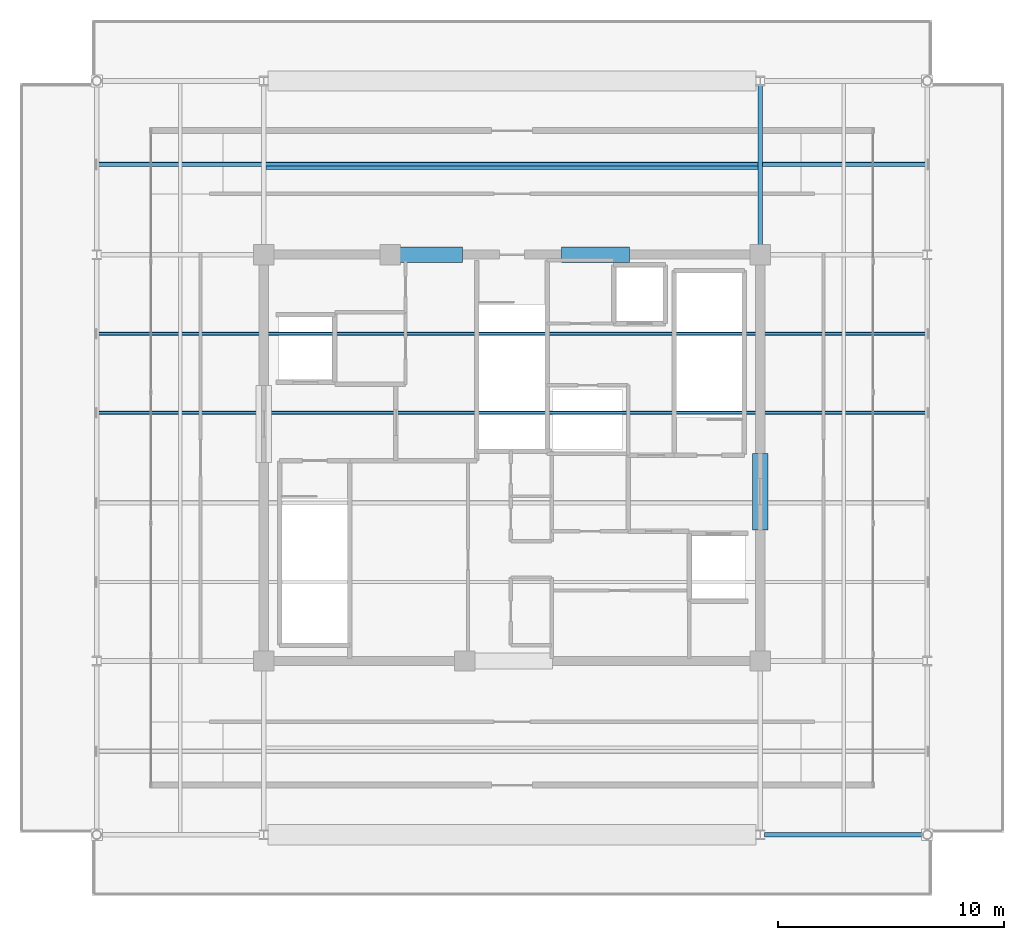
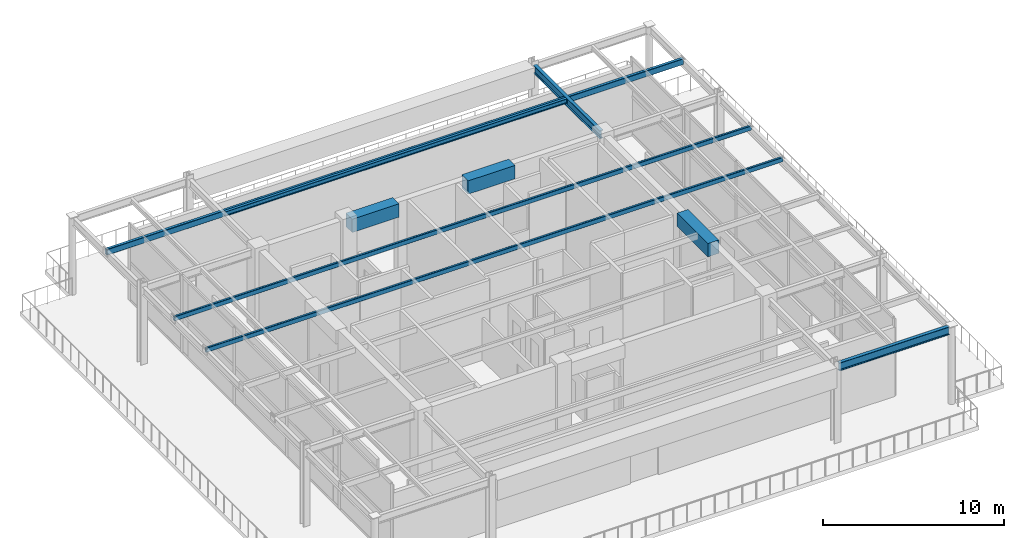
# One storey, part 5 of 16: 6 beams, 3 members.
"""IFC4 building model written with IfcOpenShell, lengths in metres."""

from ifc_helpers import new_model, si_unit, direction, frame, origin, origin_2d, place, context, subcontext, project, spatial, rectangle, hollow_rectangle, i_section, extrude, material, material_profile, profile_set, type_object, element, save


model = new_model("IFC4")

# Units and contexts
model_context = context("Model", 3, precision=1e-05, world=origin(), true_north=direction((0.0, 1.0)))
body_context = subcontext(model_context, "Body", "Model", "MODEL_VIEW")
ifc_project = project(units=[si_unit("LENGTHUNIT", "METRE"), si_unit("AREAUNIT", "SQUARE_METRE"), si_unit("VOLUMEUNIT", "CUBIC_METRE"), si_unit("PLANEANGLEUNIT", "RADIAN"), si_unit("MASSUNIT", "GRAM", prefix="KILO")], contexts=[model_context])

# Site, building, storey
site_placement = place(None, origin())
site = spatial("IfcSite", under=ifc_project, at=site_placement, CompositionType="ELEMENT")
building_placement = place(site_placement, origin())
building = spatial("IfcBuilding", under=site, at=building_placement, Name="Kovane Verandah Tower", CompositionType="ELEMENT")
storey_placement = place(building_placement, frame((0.0, 0.0, 354.300048828125)))
storey = spatial("IfcBuildingStorey", under=building, at=storey_placement, Name="L82", CompositionType="ELEMENT", Elevation=354.300048828125)

# Beams
ifc_material_1 = material(Name="Concrete C60/75", Category="concrete")
ifc_material_profile_1 = material_profile(ifc_material_1, rectangle(XDim=0.699951171875, YDim=0.89990234375, at=origin_2d()), Name="RCB700x900")
ifc_profile_set_1 = profile_set([ifc_material_profile_1], Name="Concrete C60/75")
beam_type_1 = type_object("IfcBeamType", Name="BM-LINTEL-700x900", PredefinedType="LINTEL", material=ifc_profile_set_1)
for number, where, z_axis, x_axis, name in (
    (1, (34.800048828125, 36.5, 4.7900390625), (1.0, 0.0, 0.0), (0.0, 1.0, 0.0), "L82 Core Coupling Lintel CL-N1"),
    (2, (42.199951171875, 36.5, 4.7900390625), (1.0, 0.0, 0.0), (0.0, 1.0, 0.0), "L82 Core Coupling Lintel CL-N2"),
):
    element("IfcBeam", number, at=place(storey_placement, frame(where, z_axis=z_axis, x_axis=x_axis)), inside=storey, type_object=beam_type_1, Name=name, PredefinedType="LINTEL", context=body_context, shape_type="SweptSolid", body=[
        extrude(rectangle(XDim=0.699951171875, YDim=0.89990234375, at=origin_2d()), origin(), (0.0, 0.0, 1.0), 3.0),
    ])
beam_1_placement = place(storey_placement, frame((51.0, 24.300048828125, 4.7900390625), z_axis=(0.0, 1.0, 0.0), x_axis=(-1.0, 0.0, 0.0)))
element("IfcBeam", 3, at=beam_1_placement, inside=storey, type_object=beam_type_1, Name="L82 Core Coupling Lintel CL-E", PredefinedType="LINTEL", context=body_context, shape_type="SweptSolid", body=[
    extrude(rectangle(XDim=0.699951171875, YDim=0.89990234375, at=origin_2d()), origin(), (0.0, 0.0, 1.0), 3.39990234375),
])
ifc_material_2 = material(Name="Steel S355", Category="steel")
ifc_material_profile_2 = material_profile(ifc_material_2, i_section(OverallWidth=0.2119140625, OverallDepth=0.54443359375, WebThickness=0.0126953125, FlangeThickness=0.021240234375, FilletRadius=0.0126953125, at=origin_2d()), Name="UB533x210x122")
ifc_profile_set_2 = profile_set([ifc_material_profile_2], Name="Steel S355")
beam_type_2 = type_object("IfcBeamType", Name="BM-UB533x122", PredefinedType="BEAM", material=ifc_profile_set_2)
beam_2_placement = place(storey_placement, frame((51.179931640625, 10.800048828125, 4.9677734375), z_axis=(1.0, 0.0, 0.0), x_axis=(0.0, 1.0, 0.0)))
element("IfcBeam", 4, at=beam_2_placement, inside=storey, type_object=beam_type_2, Name="L82 Primary Tower Girder G-RS3", PredefinedType="BEAM", context=body_context, shape_type="SweptSolid", body=[
    extrude(i_section(OverallWidth=0.2119140625, OverallDepth=0.54443359375, WebThickness=0.0126953125, FlangeThickness=0.021240234375, FilletRadius=0.0126953125, at=origin_2d()), origin(), (0.0, 0.0, 1.0), 7.0400390625),
])
beam_3_placement = place(storey_placement, frame((51.0, 36.679931640625, 4.9677734375), z_axis=(0.0, 1.0, 0.0), x_axis=(-1.0, 0.0, 0.0)))
element("IfcBeam", 5, at=beam_3_placement, inside=storey, type_object=beam_type_2, Name="L82 Primary Tower Girder G-N2", PredefinedType="BEAM", context=body_context, shape_type="SweptSolid", body=[
    extrude(i_section(OverallWidth=0.2119140625, OverallDepth=0.54443359375, WebThickness=0.0126953125, FlangeThickness=0.021240234375, FilletRadius=0.0126953125, at=origin_2d()), origin(), (0.0, 0.0, 1.0), 7.340087890625),
])
ifc_material_profile_3 = material_profile(ifc_material_2, i_section(OverallWidth=0.1669921875, OverallDepth=0.310302734375, WebThickness=0.0078125, FlangeThickness=0.013671875, FilletRadius=0.0087890625, at=origin_2d()), Name="UB305x165x54")
ifc_profile_set_3 = profile_set([ifc_material_profile_3], Name="Steel S355")
beam_type_3 = type_object("IfcBeamType", Name="JST-UB305x54", PredefinedType="JOIST", material=ifc_profile_set_3)
beam_4_placement = place(storey_placement, frame((29.10400390625, 40.35009765625, 5.084716796875), z_axis=(1.0, 0.0, 0.0), x_axis=(0.0, 1.0, 0.0)))
element("IfcBeam", 6, at=beam_4_placement, inside=storey, type_object=beam_type_3, Name="L82 Secondary Composite Joist J-N1", PredefinedType="JOIST", context=body_context, shape_type="SweptSolid", body=[
    extrude(i_section(OverallWidth=0.1669921875, OverallDepth=0.310302734375, WebThickness=0.0078125, FlangeThickness=0.013671875, FilletRadius=0.0087890625, at=origin_2d()), origin(), (0.0, 0.0, 1.0), 21.7919921875),
])

# Members
ifc_material_profile_4 = material_profile(ifc_material_2, hollow_rectangle(XDim=0.14990234375, YDim=0.300048828125, WallThickness=0.012451171875, InnerFilletRadius=0.012451171875, OuterFilletRadius=0.02490234375, at=origin_2d()), Name="RHS300x150x12.5")
ifc_profile_set_4 = profile_set([ifc_material_profile_4], Name="Steel S355")
member_type_1 = type_object("IfcMemberType", Name="MEM-PUR-RHS300", PredefinedType="PURLIN", material=ifc_profile_set_4)
for number, where, z_axis, x_axis, name in (
    (7, (21.60009765625, 33.0, 5.0849609375), (1.0, 0.0, 0.0), (0.0, 1.0, 0.0), "Observation Canopy Roof Purlin 4"),
    (8, (21.60009765625, 29.5, 5.0849609375), (1.0, 0.0, 0.0), (0.0, 1.0, 0.0), "Observation Canopy Roof Purlin 6"),
):
    element("IfcMember", number, at=place(storey_placement, frame(where, z_axis=z_axis, x_axis=x_axis)), inside=storey, type_object=member_type_1, Name=name, PredefinedType="PURLIN", context=body_context, shape_type="SweptSolid", body=[
        extrude(hollow_rectangle(XDim=0.14990234375, YDim=0.300048828125, WallThickness=0.012451171875, InnerFilletRadius=0.012451171875, OuterFilletRadius=0.02490234375, at=origin_2d()), origin(), (0.0, 0.0, 1.0), 36.7998046875),
    ])
ifc_material_profile_5 = material_profile(ifc_material_2, hollow_rectangle(XDim=0.199951171875, YDim=0.39990234375, WallThickness=0.01611328125, InnerFilletRadius=0.01611328125, OuterFilletRadius=0.031982421875, at=origin_2d()), Name="RHS400x200x16")
ifc_profile_set_5 = profile_set([ifc_material_profile_5], Name="Steel S355")
member_type_2 = type_object("IfcMemberType", Name="MEM-PUR-RHS400", PredefinedType="PURLIN", material=ifc_profile_set_5)
member_placement = place(storey_placement, frame((21.60009765625, 40.5, 5.034912109375), z_axis=(1.0, 0.0, 0.0), x_axis=(0.0, 1.0, 0.0)))
element("IfcMember", 9, at=member_placement, inside=storey, type_object=member_type_2, Name="Observation Canopy Roof Purlin 2", PredefinedType="PURLIN", context=body_context, shape_type="SweptSolid", body=[
    extrude(hollow_rectangle(XDim=0.199951171875, YDim=0.39990234375, WallThickness=0.01611328125, InnerFilletRadius=0.01611328125, OuterFilletRadius=0.031982421875, at=origin_2d()), origin(), (0.0, 0.0, 1.0), 36.7998046875),
])

save(model, "model.ifc")
